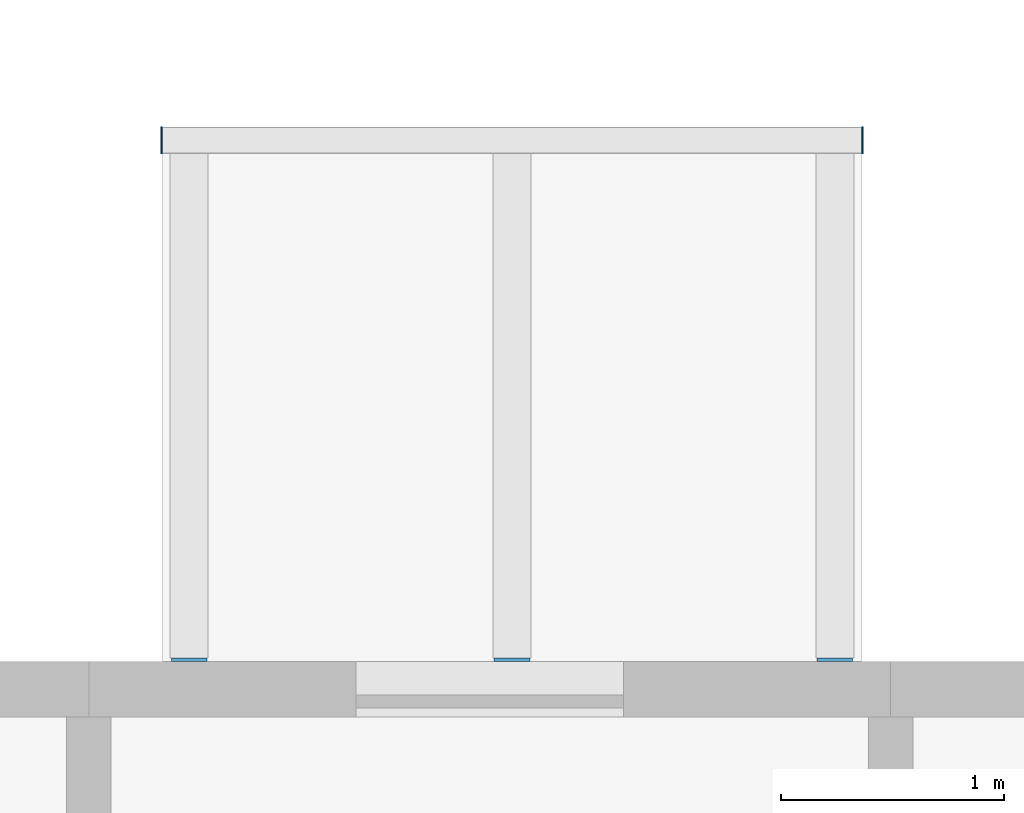
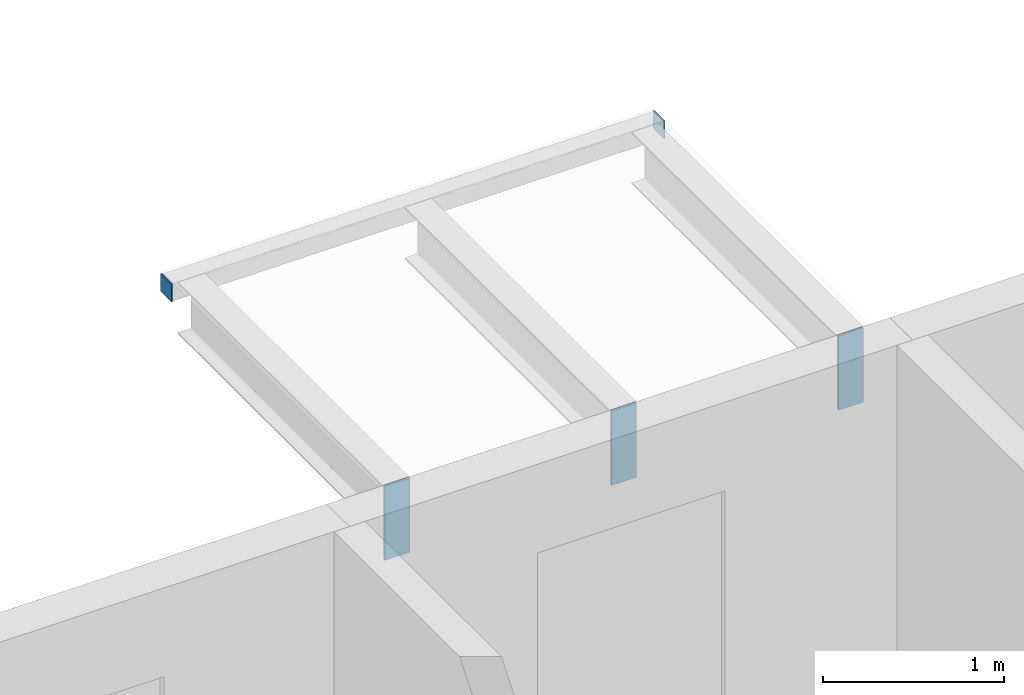
# One storey, part 65 of 94: 5 discrete accessories.
"""IFC4 building model written with IfcOpenShell, lengths in metres."""

from ifc_helpers import new_model, si_unit, direction, frame, origin, origin_2d, place, context, subcontext, project, spatial, rectangle, extrude, material, layer, layer_set, type_object, element, save


model = new_model("IFC4")

# Units and contexts
model_context = context("Model", 3, precision=1e-05, world=origin(), true_north=direction((0.0, 1.0)))
body_context = subcontext(model_context, "Body", "Model", "MODEL_VIEW")
ifc_project = project(units=[si_unit("LENGTHUNIT", "METRE"), si_unit("AREAUNIT", "SQUARE_METRE"), si_unit("VOLUMEUNIT", "CUBIC_METRE"), si_unit("PLANEANGLEUNIT", "RADIAN"), si_unit("MASSUNIT", "GRAM", prefix="KILO")], contexts=[model_context])

# Site, building, storey
site_placement = place(None, origin())
site = spatial("IfcSite", under=ifc_project, at=site_placement, CompositionType="ELEMENT")
building_placement = place(site_placement, origin())
building = spatial("IfcBuilding", under=site, at=building_placement, Name="Ridgestep Commons", CompositionType="ELEMENT")
storey_placement = place(building_placement, frame((0.0, 0.0, 21.0)))
storey = spatial("IfcBuildingStorey", under=building, at=storey_placement, Name="L07", CompositionType="ELEMENT", Elevation=21.0)

# Discrete accessories
ifc_material_1 = material(Name="Weathering steel S355J2W", Category="steel")
ifc_layer_1 = layer(ifc_material_1, 0.014892578125)
ifc_layer_set_1 = layer_set([ifc_layer_1], Name="Tray bracket plate 15")
discrete_accessory_type_1 = type_object("IfcDiscreteAccessoryType", Name="Tray bracket plate 15", PredefinedType="BRACKET", material=ifc_layer_set_1)
for number, where, z_axis, x_axis, name in (
    (1, (106.050048828125, 23.007568359375, 2.488525390625), (0.0, 0.0, 1.0), (1.0, 0.0, 0.0), "Tray bracket A6T2-08.1"),
    (2, (107.5, 23.007568359375, 2.488525390625), (0.0, 0.0, 1.0), (1.0, 0.0, 0.0), "Tray bracket A6T2-08.2"),
    (3, (108.949951171875, 23.007568359375, 2.488525390625), (0.0, 0.0, 1.0), (1.0, 0.0, 0.0), "Tray bracket A6T2-08.3"),
):
    element("IfcDiscreteAccessory", number, at=place(storey_placement, frame(where, z_axis=z_axis, x_axis=x_axis)), inside=storey, type_object=discrete_accessory_type_1, Name=name, PredefinedType="BRACKET", context=body_context, shape_type="SweptSolid", body=[
        extrude(rectangle(XDim=0.159912109375, YDim=0.014892578125, at=origin_2d()), origin(), (0.0, 0.0, 1.0), 0.50146484375),
    ])
ifc_material_2 = material(Name="Weathering steel S355J2W", Category="steel")
ifc_layer_2 = layer(ifc_material_2, 0.008056640625)
ifc_layer_set_2 = layer_set([ifc_layer_2], Name="Tray edge member end plate 120 x 120 x 8")
discrete_accessory_type_2 = type_object("IfcDiscreteAccessoryType", Name="Tray edge member end plate 120 x 120 x 8", PredefinedType="BRACKET", material=ifc_layer_set_2)
for number, where, z_axis, x_axis, name in (
    (4, (105.926025390625, 25.340087890625, 2.869873046875), (0.0, 0.0, 1.0), (1.0, 0.0, 0.0), "Tray edge member end plate A6T2-08 west"),
    (5, (109.073974609375, 25.340087890625, 2.869873046875), (0.0, 0.0, 1.0), (1.0, 0.0, 0.0), "Tray edge member end plate A6T2-08 east"),
):
    element("IfcDiscreteAccessory", number, at=place(storey_placement, frame(where, z_axis=z_axis, x_axis=x_axis)), inside=storey, type_object=discrete_accessory_type_2, Name=name, PredefinedType="BRACKET", context=body_context, shape_type="SweptSolid", body=[
        extrude(rectangle(XDim=0.008056640625, YDim=0.1201171875, at=origin_2d()), origin(), (0.0, 0.0, 1.0), 0.1201171875),
    ])

save(model, "model.ifc")
